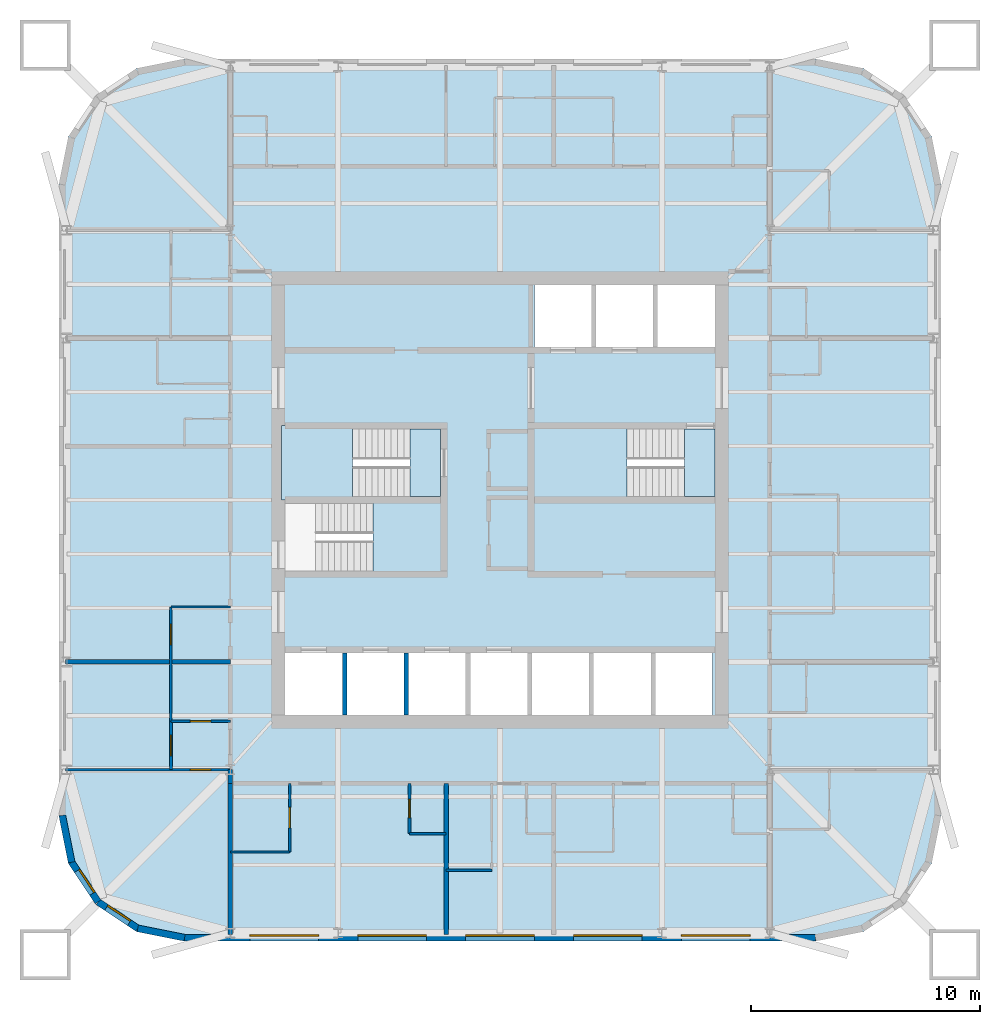
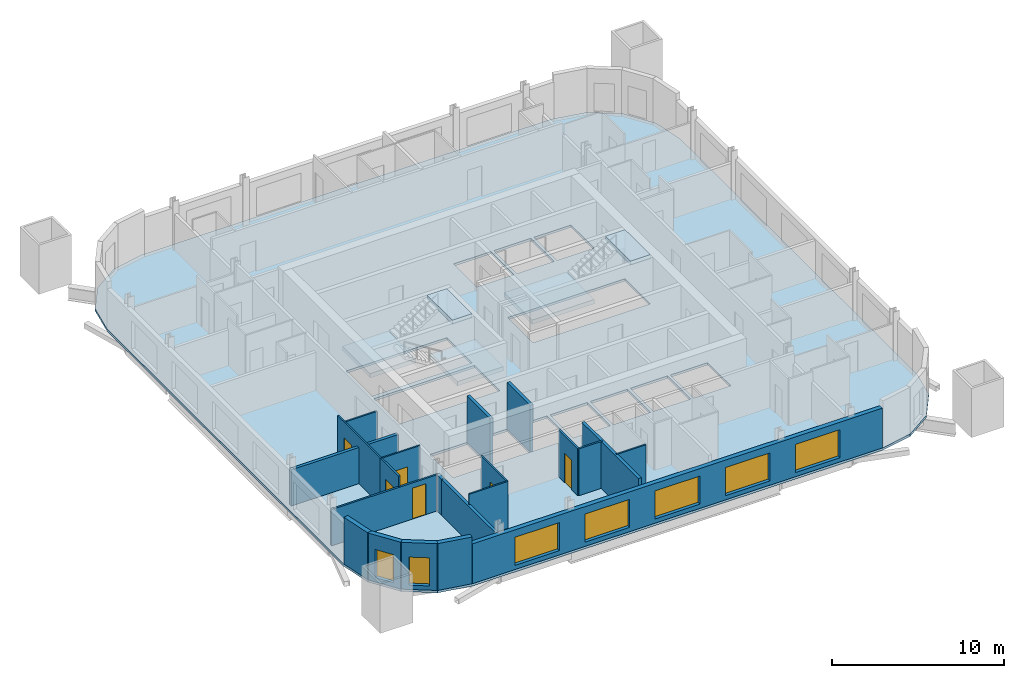
# One storey, part 2 of 8: 21 walls, 7 windows, 6 doors, 6 slabs, 13 openings, 3 elements without a shape of their own.
"""IFC4 building model written with IfcOpenShell, lengths in metres."""

from ifc_helpers import new_model, si_unit, direction, frame, frame_2d, origin, place, context, subcontext, project, spatial, polyline, rectangle, outline, extrude, material, layer, layer_set, type_object, element, fill, aggregate, save


model = new_model("IFC4")

# Units and contexts
model_context = context("Model", 3, precision=1e-05, world=origin(), true_north=direction((0.0, 1.0)))
body_context = subcontext(model_context, "Body", "Model", "MODEL_VIEW")
ifc_project = project(units=[si_unit("LENGTHUNIT", "METRE"), si_unit("AREAUNIT", "SQUARE_METRE"), si_unit("VOLUMEUNIT", "CUBIC_METRE"), si_unit("PLANEANGLEUNIT", "RADIAN"), si_unit("MASSUNIT", "GRAM", prefix="KILO")], contexts=[model_context])

# Site, building, storey
site_placement = place(None, origin())
site = spatial("IfcSite", under=ifc_project, at=site_placement, CompositionType="ELEMENT")
building_placement = place(site_placement, origin())
building = spatial("IfcBuilding", under=site, at=building_placement, Name="Turquesa Mirador Hotel Tower", CompositionType="ELEMENT")
storey_placement = place(building_placement, frame((0.0, 0.0, 168.800048828125)))
storey = spatial("IfcBuildingStorey", under=building, at=storey_placement, Name="L45", CompositionType="ELEMENT", Elevation=168.800048828125)

# Slab
ifc_material_1 = material(Name="Concrete C28/35", Category="concrete")
ifc_layer_1 = layer(ifc_material_1, 0.169921875)
ifc_layer_set_1 = layer_set([ifc_layer_1], Name="COMPOSITE FLOOR SLAB 170")
slab_type_1 = type_object("IfcSlabType", Name="COMPOSITE FLOOR SLAB 170", PredefinedType="FLOOR", material=ifc_layer_set_1)
slab_1_placement = place(storey_placement, frame((0.0, 0.0, -0.170166015625)))
element("IfcSlab", 1, at=slab_1_placement, inside=storey, type_object=slab_type_1, Name="Floor slab L45", PredefinedType="FLOOR", context=body_context, shape_type="SweptSolid", body=[
    extrude(outline(polyline([(68.800048828125, 25.699951171875), (70.90478515625, 26.11865234375), (72.689208984375, 27.310791015625), (73.88134765625, 29.09521484375), (74.300048828125, 31.199951171875), (74.300048828125, 58.800048828125), (73.88134765625, 60.90478515625), (72.689208984375, 62.689208984375), (70.90478515625, 63.88134765625), (68.800048828125, 64.300048828125), (41.199951171875, 64.300048828125), (39.09521484375, 63.88134765625), (37.310791015625, 62.689208984375), (36.11865234375, 60.90478515625), (35.699951171875, 58.800048828125), (35.699951171875, 31.199951171875), (36.11865234375, 29.09521484375), (37.310791015625, 27.310791015625), (39.09521484375, 26.11865234375), (41.199951171875, 25.699951171875), (68.800048828125, 25.699951171875)]), holes=[polyline([(56.5, 51.699951171875), (59.0, 51.699951171875), (59.0, 54.39990234375), (56.5, 54.39990234375), (56.5, 51.699951171875)]), polyline([(59.199951171875, 51.699951171875), (61.699951171875, 51.699951171875), (61.699951171875, 54.39990234375), (59.199951171875, 54.39990234375), (59.199951171875, 51.699951171875)]), polyline([(45.60009765625, 35.60009765625), (48.10009765625, 35.60009765625), (48.10009765625, 38.300048828125), (45.60009765625, 38.300048828125), (45.60009765625, 35.60009765625)]), polyline([(48.300048828125, 35.60009765625), (50.800048828125, 35.60009765625), (50.800048828125, 38.300048828125), (48.300048828125, 38.300048828125), (48.300048828125, 35.60009765625)]), polyline([(51.0, 35.60009765625), (53.5, 35.60009765625), (53.5, 38.300048828125), (51.0, 38.300048828125), (51.0, 35.60009765625)]), polyline([(53.699951171875, 35.60009765625), (56.199951171875, 35.60009765625), (56.199951171875, 38.300048828125), (53.699951171875, 38.300048828125), (53.699951171875, 35.60009765625)]), polyline([(56.39990234375, 35.60009765625), (58.89990234375, 35.60009765625), (58.89990234375, 38.300048828125), (56.39990234375, 38.300048828125), (56.39990234375, 35.60009765625)]), polyline([(59.10009765625, 35.60009765625), (61.60009765625, 35.60009765625), (61.60009765625, 38.300048828125), (59.10009765625, 38.300048828125), (59.10009765625, 35.60009765625)]), polyline([(61.800048828125, 35.60009765625), (64.300048828125, 35.60009765625), (64.300048828125, 38.300048828125), (61.800048828125, 38.300048828125), (61.800048828125, 35.60009765625)]), polyline([(45.60009765625, 45.14990234375), (52.39990234375, 45.14990234375), (52.39990234375, 48.10009765625), (45.60009765625, 48.10009765625), (45.60009765625, 45.14990234375)]), polyline([(45.60009765625, 41.89990234375), (52.39990234375, 41.89990234375), (52.39990234375, 44.85009765625), (45.60009765625, 44.85009765625), (45.60009765625, 41.89990234375)]), polyline([(56.5, 45.14990234375), (64.39990234375, 45.14990234375), (64.39990234375, 48.10009765625), (56.5, 48.10009765625), (56.5, 45.14990234375)]), polyline([(61.89990234375, 51.699951171875), (64.39990234375, 51.699951171875), (64.39990234375, 54.39990234375), (61.89990234375, 54.39990234375), (61.89990234375, 51.699951171875)])]), origin(), (0.0, 0.0, 1.0), 0.170166015625),
])

# Stair, slabs
ifc_material_2 = material(Name="Concrete C35/45", Category="concrete")
stair_type = type_object("IfcStairType", Name="ESCAPE STAIR CORE", PredefinedType="HALF_TURN_STAIR", material=ifc_material_2)
stair_1_placement = place(storey_placement, origin())
stair_1 = element("IfcStair", 2, at=stair_1_placement, inside=storey, type_object=stair_type, Name="Stair ST1 L45 to L46", PredefinedType="HALF_TURN_STAIR")
ifc_material_3 = material(Name="Concrete C35/45", Category="concrete")
ifc_layer_2 = layer(ifc_material_3, 0.300048828125)
ifc_layer_set_2 = layer_set([ifc_layer_2], Name="STAIR LANDING 300")
slab_type_2 = type_object("IfcSlabType", Name="STAIR LANDING 300", PredefinedType="LANDING", material=ifc_layer_set_2)
slab_2_placement = place(storey_placement, frame((0.0, 0.0, 1.449951171875)))
slab_2 = element("IfcSlab", 3, at=slab_2_placement, type_object=slab_type_2, Name="ST1 landing 1", PredefinedType="LANDING", context=body_context, shape_type="SweptSolid", body=[
    extrude(outline(polyline([(45.449951171875, 45.0), (48.550048828125, 45.0), (48.550048828125, 48.25), (45.449951171875, 48.25), (45.449951171875, 45.0)])), origin(), (0.0, 0.0, 1.0), 0.300048828125),
])
slab_3_placement = place(storey_placement, frame((0.0, 0.0, 3.199951171875)))
slab_3 = element("IfcSlab", 4, at=slab_3_placement, type_object=slab_type_2, Name="ST1 landing 2", PredefinedType="LANDING", context=body_context, shape_type="SweptSolid", body=[
    extrude(outline(polyline([(51.070068359375, 45.14990234375), (52.39990234375, 45.14990234375), (52.39990234375, 48.10009765625), (51.070068359375, 48.10009765625), (51.070068359375, 45.14990234375)])), origin(), (0.0, 0.0, 1.0), 0.300048828125),
])
aggregate(stair_1, [slab_2, slab_3])

# Stair, slab
stair_2_placement = place(storey_placement, origin())
stair_2 = element("IfcStair", 5, at=stair_2_placement, inside=storey, type_object=stair_type, Name="Stair ST2 L45 to L46", PredefinedType="HALF_TURN_STAIR")
slab_4_placement = place(storey_placement, frame((0.0, 0.0, 1.449951171875)))
slab_4 = element("IfcSlab", 6, at=slab_4_placement, type_object=slab_type_2, Name="ST2 landing 1", PredefinedType="LANDING", context=body_context, shape_type="SweptSolid", body=[
    extrude(outline(polyline([(52.550048828125, 45.0), (49.449951171875, 45.0), (49.449951171875, 41.75), (52.550048828125, 41.75), (52.550048828125, 45.0)])), origin(), (0.0, 0.0, 1.0), 0.300048828125),
])
aggregate(stair_2, [slab_4])

# Stair, slabs
stair_3_placement = place(storey_placement, origin())
stair_3 = element("IfcStair", 7, at=stair_3_placement, inside=storey, type_object=stair_type, Name="Stair ST3 L45 to L46", PredefinedType="HALF_TURN_STAIR")
slab_5_placement = place(storey_placement, frame((0.0, 0.0, 1.449951171875)))
slab_5 = element("IfcSlab", 8, at=slab_5_placement, type_object=slab_type_2, Name="ST3 landing 1", PredefinedType="LANDING", context=body_context, shape_type="SweptSolid", body=[
    extrude(outline(polyline([(56.35009765625, 45.0), (60.550048828125, 45.0), (60.550048828125, 48.25), (56.35009765625, 48.25), (56.35009765625, 45.0)])), origin(), (0.0, 0.0, 1.0), 0.300048828125),
])
slab_6_placement = place(storey_placement, frame((0.0, 0.0, 3.199951171875)))
slab_6 = element("IfcSlab", 9, at=slab_6_placement, type_object=slab_type_2, Name="ST3 landing 2", PredefinedType="LANDING", context=body_context, shape_type="SweptSolid", body=[
    extrude(outline(polyline([(63.070068359375, 45.14990234375), (64.39990234375, 45.14990234375), (64.39990234375, 48.10009765625), (63.070068359375, 48.10009765625), (63.070068359375, 45.14990234375)])), origin(), (0.0, 0.0, 1.0), 0.300048828125),
])
aggregate(stair_3, [slab_5, slab_6])

# Walls
ifc_material_4 = material(Name="Gypsum board on steel studs", Category="steel")
ifc_layer_3 = layer(ifc_material_4, 0.10009765625)
ifc_layer_set_3 = layer_set([ifc_layer_3], Name="BATHROOM WALL 100")
wall_type_1 = type_object("IfcWallType", Name="BATHROOM WALL 100", PredefinedType="PARTITIONING", material=ifc_layer_set_3)
wall_1_placement = place(storey_placement, frame((43.199951171875, 29.60009765625, 0.0), z_axis=(0.0, 0.0, 1.0), x_axis=(1.0, 0.0, 0.0)))
element("IfcWall", 10, at=wall_1_placement, inside=storey, type_object=wall_type_1, Name="Partition L45 009", PredefinedType="PARTITIONING", context=body_context, shape_type="SweptSolid", body=[
    extrude(rectangle(XDim=2.60009765625, YDim=0.10009765625, at=frame_2d((1.300048828125, 0.0))), origin(), (0.0, 0.0, 1.0), 3.329833984375),
])
wall_2_placement = place(storey_placement, frame((52.639892578125, 28.800048828125, 0.0), z_axis=(0.0, 0.0, 1.0), x_axis=(1.0, 0.0, 0.0)))
element("IfcWall", 11, at=wall_2_placement, inside=storey, type_object=wall_type_1, Name="Partition L45 011", PredefinedType="PARTITIONING", context=body_context, shape_type="SweptSolid", body=[
    extrude(rectangle(XDim=2.0, YDim=0.10009765625, at=frame_2d((1.0, 0.0))), origin(), (0.0, 0.0, 1.0), 3.329833984375),
])
wall_3_placement = place(storey_placement, frame((40.60009765625, 40.320068359375, 0.0), z_axis=(0.0, 0.0, 1.0), x_axis=(1.0, 0.0, 0.0)))
element("IfcWall", 12, at=wall_3_placement, inside=storey, type_object=wall_type_1, Name="Partition L45 014", PredefinedType="PARTITIONING", context=body_context, shape_type="SweptSolid", body=[
    extrude(rectangle(XDim=2.599853515625, YDim=0.10009765625, at=frame_2d((1.2998046875, 0.0))), origin(), (0.0, 0.0, 1.0), 2.73046875),
])

# Wall, opening, door
wall_4_placement = place(storey_placement, frame((40.60009765625, 35.320068359375, 0.0), z_axis=(0.0, 0.0, 1.0), x_axis=(1.0, 0.0, 0.0)))
wall_4 = element("IfcWall", 13, at=wall_4_placement, inside=storey, type_object=wall_type_1, Name="Partition L45 019", PredefinedType="PARTITIONING", context=body_context, shape_type="SweptSolid", body=[
    extrude(rectangle(XDim=2.599853515625, YDim=0.10009765625, at=frame_2d((1.2998046875, 0.0))), origin(), (0.0, 0.0, 1.0), 3.329833984375),
])
opening_1_placement = place(wall_4_placement, frame((0.85009765625, 0.0, 0.0)))
opening_1 = element("IfcOpeningElement", 14, at=opening_1_placement, cuts=wall_4, Name="Opening D02", PredefinedType="OPENING", context=body_context, shape_type="SweptSolid", body=[
    extrude(rectangle(XDim=0.89990234375, YDim=2.10009765625, at=frame_2d((0.449951171875, 1.050048828125))), frame((0.0, 0.06005859375, 0.0), z_axis=(0.0, -1.0, 0.0), x_axis=(1.0, 0.0, 0.0)), (0.0, 0.0, 1.0), 0.1201171875),
])
ifc_material_5 = material(Name="Timber veneered door", Category="wood")
door_type_1 = type_object("IfcDoorType", Name="DOOR 900X2100 EN-SUITE", OperationType="SINGLE_SWING_RIGHT", PredefinedType="DOOR", material=ifc_material_5)
door_1_placement = place(opening_1_placement, origin())
door_1 = element("IfcDoor", 15, at=door_1_placement, inside=storey, type_object=door_type_1, Name="Door 4511B", OperationType="SINGLE_SWING_RIGHT", OverallHeight=2.10009765625, OverallWidth=0.89990234375, PredefinedType="DOOR", context=body_context, shape_type="SweptSolid", body=[
    extrude(rectangle(XDim=0.89990234375, YDim=2.10009765625, at=frame_2d((0.449951171875, 1.050048828125))), frame((0.0, 0.02490234375, 0.0), z_axis=(0.0, -1.0, 0.0), x_axis=(1.0, 0.0, 0.0)), (0.0, 0.0, 1.0), 0.050048828125),
])
fill(opening_1, door_1)

wall_5_placement = place(storey_placement, frame((40.60009765625, 35.320068359375, 0.0), z_axis=(0.0, 0.0, 1.0), x_axis=(0.0, 1.0, 0.0)))
wall_5 = element("IfcWall", 16, at=wall_5_placement, inside=storey, type_object=wall_type_1, Name="Partition L45 046", PredefinedType="PARTITIONING", context=body_context, shape_type="SweptSolid", body=[
    extrude(rectangle(XDim=5.0, YDim=0.10009765625, at=frame_2d((2.5, 0.0))), origin(), (0.0, 0.0, 1.0), 3.329833984375),
])
opening_2_placement = place(wall_5_placement, frame((3.35009765625, 0.0, 0.0)))
opening_2 = element("IfcOpeningElement", 17, at=opening_2_placement, cuts=wall_5, Name="Opening D17", PredefinedType="OPENING", context=body_context, shape_type="SweptSolid", body=[
    extrude(rectangle(XDim=0.89990234375, YDim=2.199951171875, at=frame_2d((0.449951171875, 1.10009765625))), frame((0.0, 0.06005859375, 0.0), z_axis=(0.0, -1.0, 0.0), x_axis=(1.0, 0.0, 0.0)), (0.0, 0.0, 1.0), 0.1201171875),
])
ifc_material_6 = material(Name="Timber veneered door", Category="wood")
door_type_2 = type_object("IfcDoorType", Name="DOOR 900X2200 SUITE INTERNAL", OperationType="SINGLE_SWING_LEFT", PredefinedType="DOOR", material=ifc_material_6)
door_2_placement = place(opening_2_placement, origin())
door_2 = element("IfcDoor", 18, at=door_2_placement, inside=storey, type_object=door_type_2, Name="Door L45-LGP", OperationType="SINGLE_SWING_LEFT", OverallHeight=2.199951171875, OverallWidth=0.89990234375, PredefinedType="DOOR", context=body_context, shape_type="SweptSolid", body=[
    extrude(rectangle(XDim=0.89990234375, YDim=2.199951171875, at=frame_2d((0.449951171875, 1.10009765625))), frame((0.0, 0.02490234375, 0.0), z_axis=(0.0, -1.0, 0.0), x_axis=(1.0, 0.0, 0.0)), (0.0, 0.0, 1.0), 0.050048828125),
])
fill(opening_2, door_2)

wall_6_placement = place(storey_placement, frame((45.800048828125, 29.60009765625, 0.0), z_axis=(0.0, 0.0, 1.0), x_axis=(0.0, 1.0, 0.0)))
wall_6 = element("IfcWall", 19, at=wall_6_placement, inside=storey, type_object=wall_type_1, Name="Partition L45 054", PredefinedType="PARTITIONING", context=body_context, shape_type="SweptSolid", body=[
    extrude(rectangle(XDim=3.0, YDim=0.10009765625, at=frame_2d((1.5, 0.0))), origin(), (0.0, 0.0, 1.0), 3.329833984375),
])
opening_3_placement = place(wall_6_placement, frame((1.050048828125, 0.0, 0.0)))
opening_3 = element("IfcOpeningElement", 20, at=opening_3_placement, cuts=wall_6, Name="Opening D02", PredefinedType="OPENING", context=body_context, shape_type="SweptSolid", body=[
    extrude(rectangle(XDim=0.89990234375, YDim=2.10009765625, at=frame_2d((0.449951171875, 1.050048828125))), frame((0.0, 0.06005859375, 0.0), z_axis=(0.0, -1.0, 0.0), x_axis=(1.0, 0.0, 0.0)), (0.0, 0.0, 1.0), 0.1201171875),
])
door_3_placement = place(opening_3_placement, origin())
door_3 = element("IfcDoor", 21, at=door_3_placement, inside=storey, type_object=door_type_1, Name="Door 4503B", OperationType="SINGLE_SWING_RIGHT", OverallHeight=2.10009765625, OverallWidth=0.89990234375, PredefinedType="DOOR", context=body_context, shape_type="SweptSolid", body=[
    extrude(rectangle(XDim=0.89990234375, YDim=2.10009765625, at=frame_2d((0.449951171875, 1.050048828125))), frame((0.0, 0.02490234375, 0.0), z_axis=(0.0, -1.0, 0.0), x_axis=(1.0, 0.0, 0.0)), (0.0, 0.0, 1.0), 0.050048828125),
])
fill(opening_3, door_3)

# Walls
ifc_material_7 = material(Name="Fire-rated gypsum board on steel studs", Category="steel")
ifc_layer_4 = layer(ifc_material_7, 0.199951171875)
ifc_layer_set_4 = layer_set([ifc_layer_4], Name="CORRIDOR WALL 200")
wall_type_2 = type_object("IfcWallType", Name="CORRIDOR WALL 200", PredefinedType="PARTITIONING", material=ifc_layer_set_4)
wall_7_placement = place(storey_placement, frame((43.199951171875, 32.60009765625, 0.0), z_axis=(0.0, 0.0, 1.0), x_axis=(0.0, 1.0, 0.0)))
element("IfcWall", 22, at=wall_7_placement, inside=storey, type_object=wall_type_2, Name="Partition L45 073", PredefinedType="PARTITIONING", context=body_context, shape_type="SweptSolid", body=[
    extrude(rectangle(XDim=0.619873046875, YDim=0.199951171875, at=frame_2d((0.31005859375, 0.0))), origin(), (0.0, 0.0, 1.0), 2.572998046875),
])
ifc_material_8 = material(Name="Limestone cladding on concrete block", Category="masonry")
ifc_layer_5 = layer(ifc_material_8, 0.300048828125)
ifc_layer_set_5 = layer_set([ifc_layer_5], Name="FACADE WALL 300 STONE SCREEN")
wall_type_3 = type_object("IfcWallType", Name="FACADE WALL 300 STONE SCREEN", PredefinedType="SOLIDWALL", material=ifc_layer_set_5)
wall_8_placement = place(storey_placement, frame((35.85009765625, 31.199951171875, 0.0), z_axis=(0.0, 0.0, 1.0), x_axis=(0.195081421501, -0.980787050784, 0.0)))
element("IfcWall", 23, at=wall_8_placement, inside=storey, type_object=wall_type_3, Name="Facade wall L45 15", PredefinedType="SOLIDWALL", context=body_context, shape_type="SweptSolid", body=[
    extrude(rectangle(XDim=2.08740234375, YDim=0.300048828125, at=frame_2d((1.043701171875, 0.0))), origin(), (0.0, 0.0, 1.0), 3.329833984375),
])

# Wall, opening, window
wall_9_placement = place(storey_placement, frame((36.25732421875, 29.152587890625, 0.0), z_axis=(0.0, 0.0, 1.0), x_axis=(0.555563607591, -0.831474039234, 0.0)))
wall_9 = element("IfcWall", 24, at=wall_9_placement, inside=storey, type_object=wall_type_3, Name="Facade wall L45 16", PredefinedType="SOLIDWALL", context=body_context, shape_type="SweptSolid", body=[
    extrude(rectangle(XDim=2.08740234375, YDim=0.300048828125, at=frame_2d((1.043701171875, 0.0))), origin(), (0.0, 0.0, 1.0), 3.329833984375),
])
opening_4_placement = place(wall_9_placement, frame((0.443603515625, 0.0, 0.300048828125)))
opening_4 = element("IfcOpeningElement", 25, at=opening_4_placement, cuts=wall_9, Name="Opening WN4", PredefinedType="OPENING", context=body_context, shape_type="SweptSolid", body=[
    extrude(rectangle(XDim=1.199951171875, YDim=2.0, at=frame_2d((0.60009765625, 1.0))), frame((0.0, 0.159912109375, 0.0), z_axis=(0.0, -1.0, 0.0), x_axis=(1.0, 0.0, 0.0)), (0.0, 0.0, 1.0), 0.320068359375),
])
ifc_material_9 = material(Name="Ceramic-fritted laminated glass", Category="glass")
window_type_1 = type_object("IfcWindowType", Name="FRITTED CORNER WINDOW 1200X2000", PartitioningType="DOUBLE_PANEL_HORIZONTAL", PredefinedType="WINDOW", material=ifc_material_9)
window_1_placement = place(opening_4_placement, origin())
window_1 = element("IfcWindow", 26, at=window_1_placement, inside=storey, type_object=window_type_1, Name="Window L45", OverallHeight=2.0, OverallWidth=1.199951171875, PartitioningType="SINGLE_PANEL", PredefinedType="WINDOW", context=body_context, shape_type="SweptSolid", body=[
    extrude(rectangle(XDim=1.199951171875, YDim=2.0, at=frame_2d((0.60009765625, 1.0))), frame((0.0, 0.130126953125, 0.0), z_axis=(0.0, -1.0, 0.0), x_axis=(1.0, 0.0, 0.0)), (0.0, 0.0, 1.0), 0.06005859375),
])
fill(opening_4, window_1)

wall_10_placement = place(storey_placement, frame((37.4169921875, 27.4169921875, 0.0), z_axis=(0.0, 0.0, 1.0), x_axis=(0.831474039234, -0.555563607591, 0.0)))
wall_10 = element("IfcWall", 27, at=wall_10_placement, inside=storey, type_object=wall_type_3, Name="Facade wall L45 17", PredefinedType="SOLIDWALL", context=body_context, shape_type="SweptSolid", body=[
    extrude(rectangle(XDim=2.08740234375, YDim=0.300048828125, at=frame_2d((1.043701171875, 0.0))), origin(), (0.0, 0.0, 1.0), 3.329833984375),
])
opening_5_placement = place(wall_10_placement, frame((0.443603515625, 0.0, 0.300048828125)))
opening_5 = element("IfcOpeningElement", 28, at=opening_5_placement, cuts=wall_10, Name="Opening WN4", PredefinedType="OPENING", context=body_context, shape_type="SweptSolid", body=[
    extrude(rectangle(XDim=1.199951171875, YDim=2.0, at=frame_2d((0.60009765625, 1.0))), frame((0.0, 0.159912109375, 0.0), z_axis=(0.0, -1.0, 0.0), x_axis=(1.0, 0.0, 0.0)), (0.0, 0.0, 1.0), 0.320068359375),
])
window_2_placement = place(opening_5_placement, origin())
window_2 = element("IfcWindow", 29, at=window_2_placement, inside=storey, type_object=window_type_1, Name="Window L45", OverallHeight=2.0, OverallWidth=1.199951171875, PartitioningType="SINGLE_PANEL", PredefinedType="WINDOW", context=body_context, shape_type="SweptSolid", body=[
    extrude(rectangle(XDim=1.199951171875, YDim=2.0, at=frame_2d((0.60009765625, 1.0))), frame((0.0, 0.130126953125, 0.0), z_axis=(0.0, -1.0, 0.0), x_axis=(1.0, 0.0, 0.0)), (0.0, 0.0, 1.0), 0.06005859375),
])
fill(opening_5, window_2)

# Wall
wall_11_placement = place(storey_placement, frame((39.152587890625, 26.25732421875, 0.0), z_axis=(0.0, 0.0, 1.0), x_axis=(0.980787050784, -0.195081421501, 0.0)))
element("IfcWall", 30, at=wall_11_placement, inside=storey, type_object=wall_type_3, Name="Facade wall L45 18", PredefinedType="SOLIDWALL", context=body_context, shape_type="SweptSolid", body=[
    extrude(rectangle(XDim=2.08740234375, YDim=0.300048828125, at=frame_2d((1.043701171875, 0.0))), origin(), (0.0, 0.0, 1.0), 3.329833984375),
])

# Wall, openings, windows
wall_12_placement = place(storey_placement, frame((41.199951171875, 25.85009765625, 0.0), z_axis=(0.0, 0.0, 1.0), x_axis=(1.0, 0.0, 0.0)))
wall_12 = element("IfcWall", 31, at=wall_12_placement, inside=storey, type_object=wall_type_3, Name="Facade wall L45 19", PredefinedType="SOLIDWALL", context=body_context, shape_type="SweptSolid", body=[
    extrude(rectangle(XDim=27.60009765625, YDim=0.300048828125, at=frame_2d((13.800048828125, 0.0))), origin(), (0.0, 0.0, 1.0), 2.829833984375),
])
opening_6_placement = place(wall_12_placement, frame((2.860107421875, 0.0, 0.300048828125)))
opening_6 = element("IfcOpeningElement", 32, at=opening_6_placement, cuts=wall_12, Name="Opening WN1", PredefinedType="OPENING", context=body_context, shape_type="SweptSolid", body=[
    extrude(rectangle(XDim=3.0, YDim=2.0, at=frame_2d((1.5, 1.0))), frame((0.0, 0.159912109375, 0.0), z_axis=(0.0, -1.0, 0.0), x_axis=(1.0, 0.0, 0.0)), (0.0, 0.0, 1.0), 0.320068359375),
])
opening_7_placement = place(wall_12_placement, frame((7.580078125, 0.0, 0.300048828125)))
opening_7 = element("IfcOpeningElement", 33, at=opening_7_placement, cuts=wall_12, Name="Opening WN1", PredefinedType="OPENING", context=body_context, shape_type="SweptSolid", body=[
    extrude(rectangle(XDim=3.0, YDim=2.0, at=frame_2d((1.5, 1.0))), frame((0.0, 0.159912109375, 0.0), z_axis=(0.0, -1.0, 0.0), x_axis=(1.0, 0.0, 0.0)), (0.0, 0.0, 1.0), 0.320068359375),
])
opening_8_placement = place(wall_12_placement, frame((12.300048828125, 0.0, 0.300048828125)))
opening_8 = element("IfcOpeningElement", 34, at=opening_8_placement, cuts=wall_12, Name="Opening WN1", PredefinedType="OPENING", context=body_context, shape_type="SweptSolid", body=[
    extrude(rectangle(XDim=3.0, YDim=2.0, at=frame_2d((1.5, 1.0))), frame((0.0, 0.159912109375, 0.0), z_axis=(0.0, -1.0, 0.0), x_axis=(1.0, 0.0, 0.0)), (0.0, 0.0, 1.0), 0.320068359375),
])
opening_9_placement = place(wall_12_placement, frame((17.02001953125, 0.0, 0.300048828125)))
opening_9 = element("IfcOpeningElement", 35, at=opening_9_placement, cuts=wall_12, Name="Opening WN1", PredefinedType="OPENING", context=body_context, shape_type="SweptSolid", body=[
    extrude(rectangle(XDim=3.0, YDim=2.0, at=frame_2d((1.5, 1.0))), frame((0.0, 0.159912109375, 0.0), z_axis=(0.0, -1.0, 0.0), x_axis=(1.0, 0.0, 0.0)), (0.0, 0.0, 1.0), 0.320068359375),
])
opening_10_placement = place(wall_12_placement, frame((21.739990234375, 0.0, 0.300048828125)))
opening_10 = element("IfcOpeningElement", 36, at=opening_10_placement, cuts=wall_12, Name="Opening WN1", PredefinedType="OPENING", context=body_context, shape_type="SweptSolid", body=[
    extrude(rectangle(XDim=3.0, YDim=2.0, at=frame_2d((1.5, 1.0))), frame((0.0, 0.159912109375, 0.0), z_axis=(0.0, -1.0, 0.0), x_axis=(1.0, 0.0, 0.0)), (0.0, 0.0, 1.0), 0.320068359375),
])
ifc_material_10 = material(Name="Ceramic-fritted laminated glass", Category="glass")
window_type_2 = type_object("IfcWindowType", Name="FRITTED WINDOW 3000X2000", PartitioningType="DOUBLE_PANEL_HORIZONTAL", PredefinedType="WINDOW", material=ifc_material_10)
window_3_placement = place(opening_6_placement, origin())
window_3 = element("IfcWindow", 37, at=window_3_placement, inside=storey, type_object=window_type_2, Name="Window L45", OverallHeight=2.0, OverallWidth=3.0, PartitioningType="SINGLE_PANEL", PredefinedType="WINDOW", context=body_context, shape_type="SweptSolid", body=[
    extrude(rectangle(XDim=3.0, YDim=2.0, at=frame_2d((1.5, 1.0))), frame((0.0, 0.130126953125, 0.0), z_axis=(0.0, -1.0, 0.0), x_axis=(1.0, 0.0, 0.0)), (0.0, 0.0, 1.0), 0.06005859375),
])
fill(opening_6, window_3)
window_4_placement = place(opening_7_placement, origin())
window_4 = element("IfcWindow", 38, at=window_4_placement, inside=storey, type_object=window_type_2, Name="Window L45", OverallHeight=2.0, OverallWidth=3.0, PartitioningType="SINGLE_PANEL", PredefinedType="WINDOW", context=body_context, shape_type="SweptSolid", body=[
    extrude(rectangle(XDim=3.0, YDim=2.0, at=frame_2d((1.5, 1.0))), frame((0.0, 0.130126953125, 0.0), z_axis=(0.0, -1.0, 0.0), x_axis=(1.0, 0.0, 0.0)), (0.0, 0.0, 1.0), 0.06005859375),
])
fill(opening_7, window_4)
window_5_placement = place(opening_8_placement, origin())
window_5 = element("IfcWindow", 39, at=window_5_placement, inside=storey, type_object=window_type_2, Name="Window L45", OverallHeight=2.0, OverallWidth=3.0, PartitioningType="SINGLE_PANEL", PredefinedType="WINDOW", context=body_context, shape_type="SweptSolid", body=[
    extrude(rectangle(XDim=3.0, YDim=2.0, at=frame_2d((1.5, 1.0))), frame((0.0, 0.130126953125, 0.0), z_axis=(0.0, -1.0, 0.0), x_axis=(1.0, 0.0, 0.0)), (0.0, 0.0, 1.0), 0.06005859375),
])
fill(opening_8, window_5)
window_6_placement = place(opening_9_placement, origin())
window_6 = element("IfcWindow", 40, at=window_6_placement, inside=storey, type_object=window_type_2, Name="Window L45", OverallHeight=2.0, OverallWidth=3.0, PartitioningType="SINGLE_PANEL", PredefinedType="WINDOW", context=body_context, shape_type="SweptSolid", body=[
    extrude(rectangle(XDim=3.0, YDim=2.0, at=frame_2d((1.5, 1.0))), frame((0.0, 0.130126953125, 0.0), z_axis=(0.0, -1.0, 0.0), x_axis=(1.0, 0.0, 0.0)), (0.0, 0.0, 1.0), 0.06005859375),
])
fill(opening_9, window_6)
window_7_placement = place(opening_10_placement, origin())
window_7 = element("IfcWindow", 41, at=window_7_placement, inside=storey, type_object=window_type_2, Name="Window L45", OverallHeight=2.0, OverallWidth=3.0, PartitioningType="SINGLE_PANEL", PredefinedType="WINDOW", context=body_context, shape_type="SweptSolid", body=[
    extrude(rectangle(XDim=3.0, YDim=2.0, at=frame_2d((1.5, 1.0))), frame((0.0, 0.130126953125, 0.0), z_axis=(0.0, -1.0, 0.0), x_axis=(1.0, 0.0, 0.0)), (0.0, 0.0, 1.0), 0.06005859375),
])
fill(opening_10, window_7)

# Walls
ifc_material_11 = material(Name="Fire-rated gypsum shaft wall on steel studs", Category="steel")
ifc_layer_6 = layer(ifc_material_11, 0.199951171875)
ifc_layer_set_6 = layer_set([ifc_layer_6], Name="LIFT SHAFT DIVIDER 200")
wall_type_4 = type_object("IfcWallType", Name="LIFT SHAFT DIVIDER 200", PredefinedType="PARTITIONING", material=ifc_layer_set_6)
for number, where, z_axis, x_axis, name in (
    (42, (48.199951171875, 35.60009765625, 0.0), (0.0, 0.0, 1.0), (0.0, 1.0, 0.0), "Lift shaft divider"),
    (43, (50.89990234375, 35.60009765625, 0.0), (0.0, 0.0, 1.0), (0.0, 1.0, 0.0), "Lift shaft divider"),
):
    element("IfcWall", number, at=place(storey_placement, frame(where, z_axis=z_axis, x_axis=x_axis)), inside=storey, type_object=wall_type_4, Name=name, PredefinedType="PARTITIONING", context=body_context, shape_type="SweptSolid", body=[
        extrude(rectangle(XDim=2.699951171875, YDim=0.199951171875, at=frame_2d((1.35009765625, 0.0))), origin(), (0.0, 0.0, 1.0), 3.329833984375),
    ])
ifc_material_12 = material(Name="Fire-rated gypsum board on steel studs", Category="steel")
ifc_layer_7 = layer(ifc_material_12, 0.199951171875)
ifc_layer_set_7 = layer_set([ifc_layer_7], Name="PARTY WALL 200")
wall_type_5 = type_object("IfcWallType", Name="PARTY WALL 200", PredefinedType="PARTITIONING", material=ifc_layer_set_7)
wall_13_placement = place(storey_placement, frame((36.0, 37.919921875, 0.0), z_axis=(0.0, 0.0, 1.0), x_axis=(1.0, 0.0, 0.0)))
element("IfcWall", 44, at=wall_13_placement, inside=storey, type_object=wall_type_5, Name="Partition L45 016", PredefinedType="PARTITIONING", context=body_context, shape_type="SweptSolid", body=[
    extrude(rectangle(XDim=7.199951171875, YDim=0.199951171875, at=frame_2d((3.60009765625, 0.0))), origin(), (0.0, 0.0, 1.0), 2.572998046875),
])
wall_14_placement = place(storey_placement, frame((43.199951171875, 26.0, 0.0), z_axis=(0.0, 0.0, 1.0), x_axis=(0.0, 1.0, 0.0)))
element("IfcWall", 45, at=wall_14_placement, inside=storey, type_object=wall_type_5, Name="Partition L45 043", PredefinedType="PARTITIONING", context=body_context, shape_type="SweptSolid", body=[
    extrude(rectangle(XDim=6.60009765625, YDim=0.199951171875, at=frame_2d((3.300048828125, 0.0))), origin(), (0.0, 0.0, 1.0), 2.572998046875),
])
wall_15_placement = place(storey_placement, frame((52.639892578125, 26.0, 0.0), z_axis=(0.0, 0.0, 1.0), x_axis=(0.0, 1.0, 0.0)))
element("IfcWall", 46, at=wall_15_placement, inside=storey, type_object=wall_type_5, Name="Partition L45 051", PredefinedType="PARTITIONING", context=body_context, shape_type="SweptSolid", body=[
    extrude(rectangle(XDim=6.60009765625, YDim=0.199951171875, at=frame_2d((3.300048828125, 0.0))), origin(), (0.0, 0.0, 1.0), 3.329833984375),
])

# Wall, opening, door
ifc_material_13 = material(Name="Acoustic gypsum board on steel studs", Category="steel")
ifc_layer_8 = layer(ifc_material_13, 0.125)
ifc_layer_set_8 = layer_set([ifc_layer_8], Name="SUITE PARTITION 125")
wall_type_6 = type_object("IfcWallType", Name="SUITE PARTITION 125", PredefinedType="PARTITIONING", material=ifc_layer_set_8)
wall_16_placement = place(storey_placement, frame((36.0, 33.199951171875, 0.0), z_axis=(0.0, 0.0, 1.0), x_axis=(1.0, 0.0, 0.0)))
wall_16 = element("IfcWall", 47, at=wall_16_placement, inside=storey, type_object=wall_type_6, Name="Partition L45 002", PredefinedType="PARTITIONING", context=body_context, shape_type="SweptSolid", body=[
    extrude(rectangle(XDim=7.199951171875, YDim=0.125, at=frame_2d((3.60009765625, 0.0))), origin(), (0.0, 0.0, 1.0), 2.572998046875),
])
opening_11_placement = place(wall_16_placement, frame((5.449951171875, 0.0, 0.0)))
opening_11 = element("IfcOpeningElement", 48, at=opening_11_placement, cuts=wall_16, Name="Opening D17", PredefinedType="OPENING", context=body_context, shape_type="SweptSolid", body=[
    extrude(rectangle(XDim=0.89990234375, YDim=2.199951171875, at=frame_2d((0.449951171875, 1.10009765625))), frame((0.0, 0.072509765625, 0.0), z_axis=(0.0, -1.0, 0.0), x_axis=(1.0, 0.0, 0.0)), (0.0, 0.0, 1.0), 0.14501953125),
])
door_4_placement = place(opening_11_placement, origin())
door_4 = element("IfcDoor", 49, at=door_4_placement, inside=storey, type_object=door_type_2, Name="Door 4511", OperationType="SINGLE_SWING_LEFT", OverallHeight=2.199951171875, OverallWidth=0.89990234375, PredefinedType="DOOR", context=body_context, shape_type="SweptSolid", body=[
    extrude(rectangle(XDim=0.89990234375, YDim=2.199951171875, at=frame_2d((0.449951171875, 1.10009765625))), frame((0.0, 0.02490234375, 0.0), z_axis=(0.0, -1.0, 0.0), x_axis=(1.0, 0.0, 0.0)), (0.0, 0.0, 1.0), 0.050048828125),
])
fill(opening_11, door_4)

# Wall
wall_17_placement = place(storey_placement, frame((51.0400390625, 30.39990234375, 0.0), z_axis=(0.0, 0.0, 1.0), x_axis=(1.0, 0.0, 0.0)))
element("IfcWall", 50, at=wall_17_placement, inside=storey, type_object=wall_type_6, Name="Partition L45 006", PredefinedType="PARTITIONING", context=body_context, shape_type="SweptSolid", body=[
    extrude(rectangle(XDim=1.599853515625, YDim=0.125, at=frame_2d((0.7998046875, 0.0))), origin(), (0.0, 0.0, 1.0), 3.329833984375),
])

# Wall, opening, door
wall_18_placement = place(storey_placement, frame((40.60009765625, 33.199951171875, 0.0), z_axis=(0.0, 0.0, 1.0), x_axis=(0.0, 1.0, 0.0)))
wall_18 = element("IfcWall", 51, at=wall_18_placement, inside=storey, type_object=wall_type_6, Name="Partition L45 048", PredefinedType="PARTITIONING", context=body_context, shape_type="SweptSolid", body=[
    extrude(rectangle(XDim=2.1201171875, YDim=0.125, at=frame_2d((1.06005859375, 0.0))), origin(), (0.0, 0.0, 1.0), 3.329833984375),
])
opening_12_placement = place(wall_18_placement, frame((0.610107421875, 0.0, 0.0)))
opening_12 = element("IfcOpeningElement", 52, at=opening_12_placement, cuts=wall_18, Name="Opening D17", PredefinedType="OPENING", context=body_context, shape_type="SweptSolid", body=[
    extrude(rectangle(XDim=0.89990234375, YDim=2.199951171875, at=frame_2d((0.449951171875, 1.10009765625))), frame((0.0, 0.072509765625, 0.0), z_axis=(0.0, -1.0, 0.0), x_axis=(1.0, 0.0, 0.0)), (0.0, 0.0, 1.0), 0.14501953125),
])
door_5_placement = place(opening_12_placement, origin())
door_5 = element("IfcDoor", 53, at=door_5_placement, inside=storey, type_object=door_type_2, Name="Door 4511R", OperationType="SINGLE_SWING_LEFT", OverallHeight=2.199951171875, OverallWidth=0.89990234375, PredefinedType="DOOR", context=body_context, shape_type="SweptSolid", body=[
    extrude(rectangle(XDim=0.89990234375, YDim=2.199951171875, at=frame_2d((0.449951171875, 1.10009765625))), frame((0.0, 0.02490234375, 0.0), z_axis=(0.0, -1.0, 0.0), x_axis=(1.0, 0.0, 0.0)), (0.0, 0.0, 1.0), 0.050048828125),
])
fill(opening_12, door_5)

wall_19_placement = place(storey_placement, frame((51.0400390625, 30.39990234375, 0.0), z_axis=(0.0, 0.0, 1.0), x_axis=(0.0, 1.0, 0.0)))
wall_19 = element("IfcWall", 54, at=wall_19_placement, inside=storey, type_object=wall_type_6, Name="Partition L45 053", PredefinedType="PARTITIONING", context=body_context, shape_type="SweptSolid", body=[
    extrude(rectangle(XDim=2.2001953125, YDim=0.125, at=frame_2d((1.10009765625, 0.0))), origin(), (0.0, 0.0, 1.0), 3.329833984375),
])
opening_13_placement = place(wall_19_placement, frame((0.699951171875, 0.0, 0.0)))
opening_13 = element("IfcOpeningElement", 55, at=opening_13_placement, cuts=wall_19, Name="Opening D20", PredefinedType="OPENING", context=body_context, shape_type="SweptSolid", body=[
    extrude(rectangle(XDim=0.800048828125, YDim=2.10009765625, at=frame_2d((0.39990234375, 1.050048828125))), frame((0.0, 0.072509765625, 0.0), z_axis=(0.0, -1.0, 0.0), x_axis=(1.0, 0.0, 0.0)), (0.0, 0.0, 1.0), 0.14501953125),
])
ifc_material_14 = material(Name="Timber veneered sliding door", Category="wood")
door_type_3 = type_object("IfcDoorType", Name="DOOR 800X2100 WARDROBE", OperationType="SLIDING_TO_LEFT", PredefinedType="DOOR", material=ifc_material_14)
door_6_placement = place(opening_13_placement, origin())
door_6 = element("IfcDoor", 56, at=door_6_placement, inside=storey, type_object=door_type_3, Name="Door 4503W", OperationType="SLIDING_TO_LEFT", OverallHeight=2.10009765625, OverallWidth=0.800048828125, PredefinedType="DOOR", context=body_context, shape_type="SweptSolid", body=[
    extrude(rectangle(XDim=0.800048828125, YDim=2.10009765625, at=frame_2d((0.39990234375, 1.050048828125))), frame((0.0, 0.02490234375, 0.0), z_axis=(0.0, -1.0, 0.0), x_axis=(1.0, 0.0, 0.0)), (0.0, 0.0, 1.0), 0.050048828125),
])
fill(opening_13, door_6)

save(model, "model.ifc")
